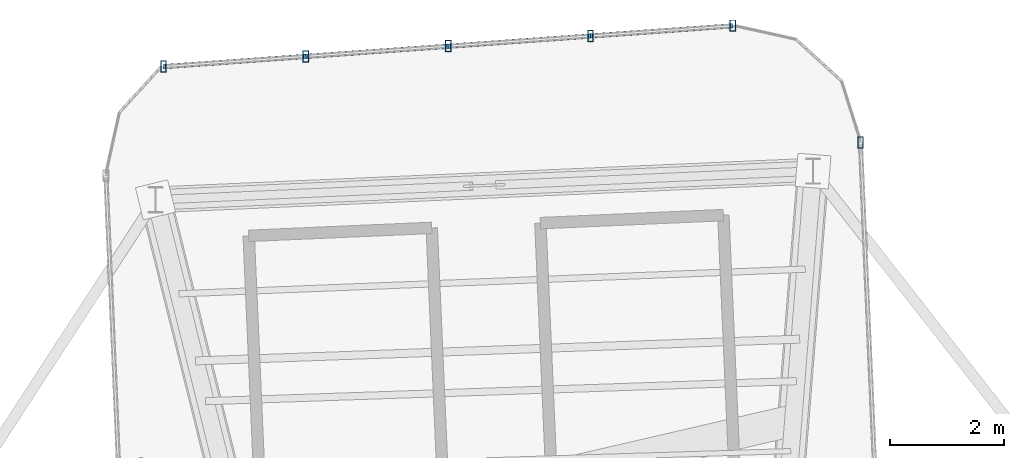
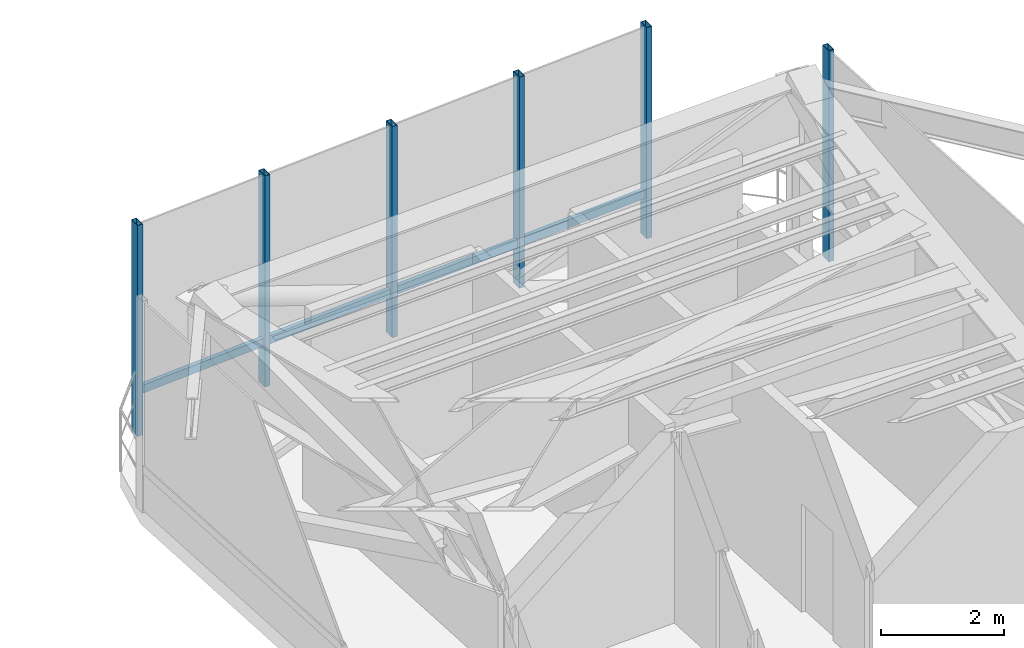
# One storey, part 11 of 18: 10 members, 2 elements without a shape of their own.
"""IFC4 building model written with IfcOpenShell, lengths in metres."""

from ifc_helpers import new_model, si_unit, direction, frame, origin, origin_2d, place, context, subcontext, project, spatial, hollow_rectangle, extrude, source, transform, mapped, material, material_profile, profile_set, type_object, element, aggregate, save


model = new_model("IFC4")

# Units and contexts
model_context = context("Model", 3, precision=1e-05, world=origin(), true_north=direction((0.0, 1.0)))
body_context = subcontext(model_context, "Body", "Model", "MODEL_VIEW")
ifc_project = project(units=[si_unit("LENGTHUNIT", "METRE"), si_unit("AREAUNIT", "SQUARE_METRE"), si_unit("VOLUMEUNIT", "CUBIC_METRE"), si_unit("PLANEANGLEUNIT", "RADIAN"), si_unit("MASSUNIT", "GRAM", prefix="KILO")], contexts=[model_context])

# Site, building, storey
site_placement = place(None, origin())
site = spatial("IfcSite", under=ifc_project, at=site_placement, CompositionType="ELEMENT")
building_placement = place(site_placement, origin())
building = spatial("IfcBuilding", under=site, at=building_placement, Name="Sahyath Konkavel Grand Hotel", CompositionType="ELEMENT")
storey_placement = place(building_placement, frame((0.0, 0.0, 138.25)))
storey = spatial("IfcBuildingStorey", under=building, at=storey_placement, Name="L38", CompositionType="ELEMENT", Elevation=138.25)

# Curtain wall, member
ifc_material_1 = material(Name="Anodised Bronze Aluminium & Low-E Glazing", Category="aluminium")
curtain_wall_type = type_object("IfcCurtainWallType", Name="CW-SKYLOBBY", PredefinedType="NOTDEFINED", material=ifc_material_1)
curtain_wall_1_placement = place(storey_placement, origin())
curtain_wall_1 = element("IfcCurtainWall", 1, at=curtain_wall_1_placement, inside=storey, type_object=curtain_wall_type, Name="L38 Unitised Curtain Wall RF8", PredefinedType="NOTDEFINED")
ifc_material_2 = material(Name="Anodised Bronze Aluminium", Category="aluminium")
ifc_material_profile_1 = material_profile(ifc_material_2, hollow_rectangle(XDim=0.10009765625, YDim=0.199951171875, WallThickness=0.008056640625, at=origin_2d()), Name="RHS 200x100x8")
ifc_profile_set_1 = profile_set([ifc_material_profile_1], Name="Anodised Bronze Aluminium")
member_type_1 = type_object("IfcMemberType", Name="CW-MUL-200", PredefinedType="MULLION", material=ifc_profile_set_1)
shared_shape_1 = source(origin(), body_context, "Body", "SweptSolid", [
    extrude(hollow_rectangle(XDim=0.10009765625, YDim=0.199951171875, WallThickness=0.008056640625, at=origin_2d()), origin(), (0.0, 0.0, 1.0), 4.179931640625),
])
member_1_placement = place(storey_placement, frame((5.605224609375, 22.92626953125, 0.0), z_axis=(0.0, 0.0, 1.0), x_axis=(1.0, 0.0, 0.0)))
member_1 = element("IfcMember", 2, at=member_1_placement, type_object=member_type_1, Name="L38 Curtain Wall Mullion RF8-2", PredefinedType="MULLION", context=body_context, shape_type="MappedRepresentation", body=[
    mapped(shared_shape_1, transform((0.0, 0.0, 0.0), scale=1.0)),
])
aggregate(curtain_wall_1, [member_1])

# Curtain wall, members
curtain_wall_2_placement = place(storey_placement, origin())
curtain_wall_2 = element("IfcCurtainWall", 3, at=curtain_wall_2_placement, inside=storey, type_object=curtain_wall_type, Name="L38 Unitised Curtain Wall RF12", PredefinedType="NOTDEFINED")
member_2_placement = place(storey_placement, frame((3.3740234375, 24.9697265625, 0.0), z_axis=(0.0, 0.0, 1.0), x_axis=(1.0, 0.0, 0.0)))
member_2 = element("IfcMember", 4, at=member_2_placement, type_object=member_type_1, Name="L38 Curtain Wall Mullion RF12-0", PredefinedType="MULLION", context=body_context, shape_type="MappedRepresentation", body=[
    mapped(shared_shape_1, transform((0.0, 0.0, 0.0), scale=1.0)),
])
member_3_placement = place(storey_placement, frame((0.886962890625, 24.79150390625, 0.0), z_axis=(0.0, 0.0, 1.0), x_axis=(1.0, 0.0, 0.0)))
member_3 = element("IfcMember", 5, at=member_3_placement, type_object=member_type_1, Name="L38 Curtain Wall Mullion RF12-1", PredefinedType="MULLION", context=body_context, shape_type="MappedRepresentation", body=[
    mapped(shared_shape_1, transform((0.0, 0.0, 0.0), scale=1.0)),
])
member_4_placement = place(storey_placement, frame((-1.60009765625, 24.61279296875, 0.0), z_axis=(0.0, 0.0, 1.0), x_axis=(1.0, 0.0, 0.0)))
member_4 = element("IfcMember", 6, at=member_4_placement, type_object=member_type_1, Name="L38 Curtain Wall Mullion RF12-2", PredefinedType="MULLION", context=body_context, shape_type="MappedRepresentation", body=[
    mapped(shared_shape_1, transform((0.0, 0.0, 0.0), scale=1.0)),
])
member_5_placement = place(storey_placement, frame((-4.087158203125, 24.4345703125, 0.0), z_axis=(0.0, 0.0, 1.0), x_axis=(1.0, 0.0, 0.0)))
member_5 = element("IfcMember", 7, at=member_5_placement, type_object=member_type_1, Name="L38 Curtain Wall Mullion RF12-3", PredefinedType="MULLION", context=body_context, shape_type="MappedRepresentation", body=[
    mapped(shared_shape_1, transform((0.0, 0.0, 0.0), scale=1.0)),
])
member_6_placement = place(storey_placement, frame((-6.57421875, 24.256103515625, 0.0), z_axis=(0.0, 0.0, 1.0), x_axis=(1.0, 0.0, 0.0)))
member_6 = element("IfcMember", 8, at=member_6_placement, type_object=member_type_1, Name="L38 Curtain Wall Mullion RF12-4", PredefinedType="MULLION", context=body_context, shape_type="MappedRepresentation", body=[
    mapped(shared_shape_1, transform((0.0, 0.0, 0.0), scale=1.0)),
])
ifc_material_profile_2 = material_profile(ifc_material_2, hollow_rectangle(XDim=0.080078125, YDim=0.159912109375, WallThickness=0.006103515625, at=origin_2d()), Name="RHS 160x80x6")
ifc_profile_set_2 = profile_set([ifc_material_profile_2], Name="Anodised Bronze Aluminium")
member_type_2 = type_object("IfcMemberType", Name="CW-TRN-160", PredefinedType="USERDEFINED", material=ifc_profile_set_2)
shared_shape_2 = source(origin(), body_context, "Body", "SweptSolid", [
    extrude(hollow_rectangle(XDim=0.080078125, YDim=0.159912109375, WallThickness=0.006103515625, at=origin_2d()), origin(), (0.0, 0.0, 1.0), 2.493408203125),
])
member_7_placement = place(storey_placement, frame((3.3740234375, 24.9697265625, 0.85009765625), z_axis=(-0.997442271688, -0.071476672066, 0.0), x_axis=(0.071476672066, -0.997442271688, 0.0)))
member_7 = element("IfcMember", 9, at=member_7_placement, type_object=member_type_2, Name="L38 Curtain Wall Transom RF12-0-spandrel", ObjectType="TRANSOM", PredefinedType="USERDEFINED", context=body_context, shape_type="MappedRepresentation", body=[
    mapped(shared_shape_2, transform((0.0, 0.0, 0.0), scale=1.0)),
])
member_8_placement = place(storey_placement, frame((0.886962890625, 24.79150390625, 0.85009765625), z_axis=(-0.997428291631, -0.071671494009, 0.0), x_axis=(0.071671494009, -0.997428291631, 0.0)))
member_8 = element("IfcMember", 10, at=member_8_placement, type_object=member_type_2, Name="L38 Curtain Wall Transom RF12-1-spandrel", ObjectType="TRANSOM", PredefinedType="USERDEFINED", context=body_context, shape_type="MappedRepresentation", body=[
    mapped(shared_shape_2, transform((0.0, 0.0, 0.0), scale=1.0)),
])
member_9_placement = place(storey_placement, frame((-1.60009765625, 24.61279296875, 0.85009765625), z_axis=(-0.997442271688, -0.071476672066, 0.0), x_axis=(0.071476672066, -0.997442271688, 0.0)))
member_9 = element("IfcMember", 11, at=member_9_placement, type_object=member_type_2, Name="L38 Curtain Wall Transom RF12-2-spandrel", ObjectType="TRANSOM", PredefinedType="USERDEFINED", context=body_context, shape_type="MappedRepresentation", body=[
    mapped(shared_shape_2, transform((0.0, 0.0, 0.0), scale=1.0)),
])
member_10_placement = place(storey_placement, frame((-4.087158203125, 24.4345703125, 0.85009765625), z_axis=(-0.997435286367, -0.071574084062, 0.0), x_axis=(0.071574084062, -0.997435286367, 0.0)))
member_10 = element("IfcMember", 12, at=member_10_placement, type_object=member_type_2, Name="L38 Curtain Wall Transom RF12-3-spandrel", ObjectType="TRANSOM", PredefinedType="USERDEFINED", context=body_context, shape_type="MappedRepresentation", body=[
    mapped(shared_shape_2, transform((0.0, 0.0, 0.0), scale=1.0)),
])
aggregate(curtain_wall_2, [member_2, member_3, member_4, member_5, member_6, member_7, member_8, member_9, member_10])

save(model, "model.ifc")
